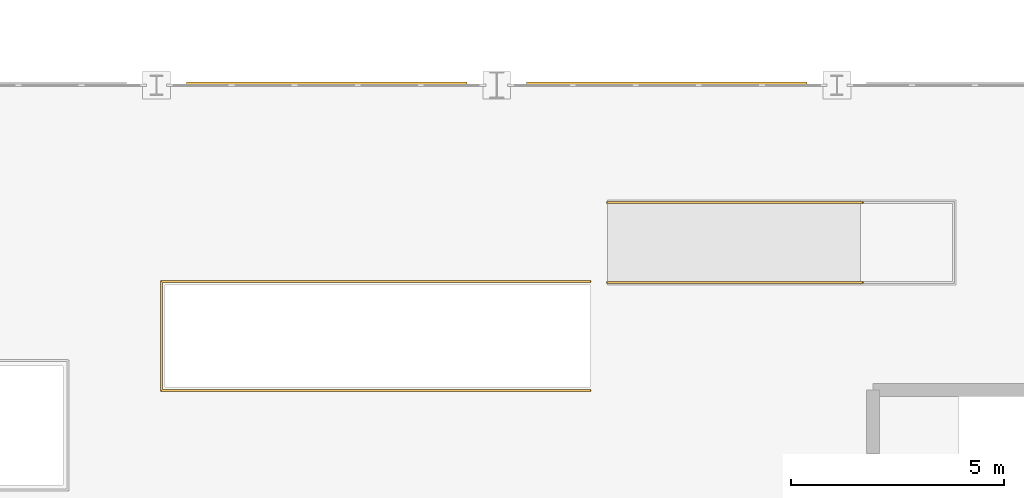
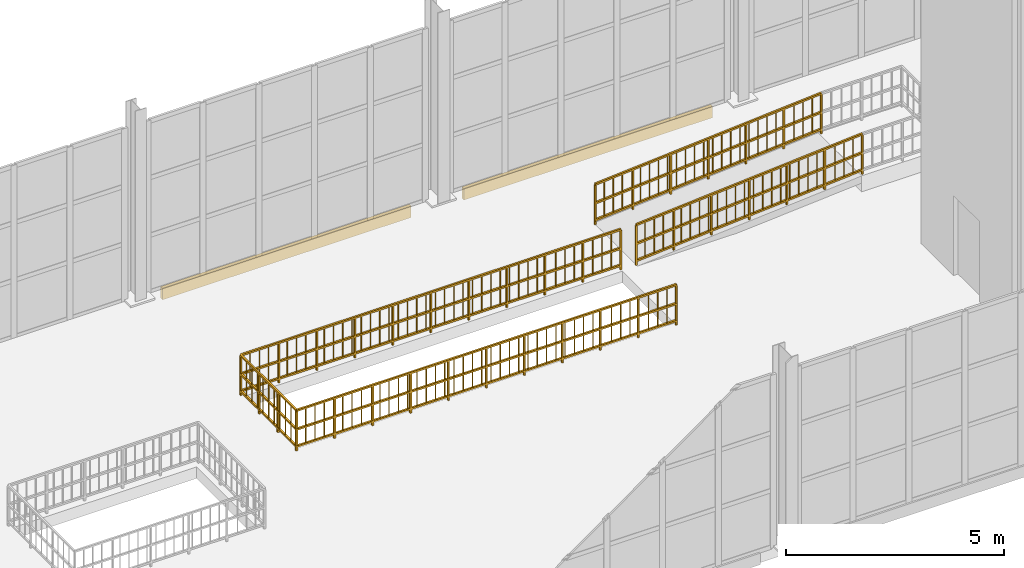
# One storey, part 79 of 82: 3 railings, 2 coverings.
"""IFC4 building model written with IfcOpenShell, lengths in metres."""

from ifc_helpers import new_model, si_unit, direction, frame, origin, origin_2d, place, context, subcontext, project, spatial, rectangle, extrude, material, layer, layer_set, type_object, element, save


model = new_model("IFC4")

# Units and contexts
model_context = context("Model", 3, precision=1e-05, world=origin(), true_north=direction((0.0, 1.0)))
body_context = subcontext(model_context, "Body", "Model", "MODEL_VIEW")
ifc_project = project(units=[si_unit("LENGTHUNIT", "METRE"), si_unit("AREAUNIT", "SQUARE_METRE"), si_unit("VOLUMEUNIT", "CUBIC_METRE"), si_unit("PLANEANGLEUNIT", "RADIAN"), si_unit("MASSUNIT", "GRAM", prefix="KILO")], contexts=[model_context])

# Site, building, storey
site_placement = place(None, origin())
site = spatial("IfcSite", under=ifc_project, at=site_placement, CompositionType="ELEMENT")
building_placement = place(site_placement, origin())
building = spatial("IfcBuilding", under=site, at=building_placement, Name="Serraluz Foothill Cableway Terminal", CompositionType="ELEMENT")
storey_placement = place(building_placement, frame((0.0, 0.0, 9.60009765625)))
storey = spatial("IfcBuildingStorey", under=building, at=storey_placement, Name="L02", CompositionType="ELEMENT", Elevation=9.60009765625)

# Coverings
ifc_material_1 = material(Name="Fired clay masonry brick (f'm 12 MPa)", Category="masonry")
ifc_layer_1 = layer(ifc_material_1, 0.090087890625, Name="Fired clay masonry brick (f'm 12 MPa)", Category="masonry")
ifc_layer_set_1 = layer_set([ifc_layer_1], Name="Fired clay masonry brick (f'm 12 MPa)")
covering_type = type_object("IfcCoveringType", Name="TYP-COV-CLAD-90", PredefinedType="CLADDING", material=ifc_layer_set_1)
for number, where, z_axis, x_axis, name in (
    (1, (52.0, 72.030029296875, -0.3203125), (0.0, 0.0, 1.0), (1.0, 0.0, 0.0), "Terracotta Spandrel Relief Band COV-CLAD-V1N-2"),
    (2, (60.0, 72.030029296875, -0.3203125), (0.0, 0.0, 1.0), (1.0, 0.0, 0.0), "Terracotta Spandrel Relief Band COV-CLAD-V1N-3"),
):
    element("IfcCovering", number, at=place(storey_placement, frame(where, z_axis=z_axis, x_axis=x_axis)), inside=storey, type_object=covering_type, Name=name, PredefinedType="CLADDING", context=body_context, shape_type="SweptSolid", body=[
        extrude(rectangle(XDim=6.60009765625, YDim=0.090087890625, at=origin_2d()), origin(), (0.0, 0.0, 1.0), 0.320068359375),
    ])

# Railings
ifc_material_2 = material(Name="Steel ASTM A572 Grade 50", Category="steel")
ifc_layer_2 = layer(ifc_material_2, 0.054931640625, Name="Steel ASTM A572 Grade 50", Category="steel")
ifc_layer_set_2 = layer_set([ifc_layer_2], Name="Steel ASTM A572 Grade 50")
railing_type = type_object("IfcRailingType", Name="TYP-RL-GRD-1150", PredefinedType="GUARDRAIL", material=ifc_layer_set_2)
railing_1_placement = place(storey_placement, frame((58.199951171875, 64.820068359375, 0.0)))
element("IfcRailing", 3, at=railing_1_placement, inside=storey, type_object=railing_type, Name="GUARDRAIL ST-F02 Upper Well", PredefinedType="GUARDRAIL", context=body_context, shape_type="SweptSolid", body=[
    extrude(rectangle(XDim=0.048095703125, YDim=0.048095703125, at=origin_2d()), frame((0.0, 0.0, 1.1259765625), z_axis=(-1.0, 0.0, 0.0), x_axis=(0.0, -1.0, 0.0)), (0.0, 0.0, 1.0), 10.079833984375),
    extrude(rectangle(XDim=0.048095703125, YDim=0.048095703125, at=origin_2d()), frame((0.0, 0.0, 0.597900390625), z_axis=(-1.0, 0.0, 0.0), x_axis=(0.0, -1.0, 0.0)), (0.0, 0.0, 1.0), 10.079833984375),
    extrude(rectangle(XDim=0.048095703125, YDim=0.048095703125, at=origin_2d()), frame((0.0, 0.0, 0.1201171875), z_axis=(-1.0, 0.0, 0.0), x_axis=(0.0, -1.0, 0.0)), (0.0, 0.0, 1.0), 10.079833984375),
    extrude(rectangle(XDim=0.02001953125, YDim=0.02001953125, at=origin_2d()), frame((-0.245849609375, 0.0, 0.1201171875)), (0.0, 0.0, 1.0), 0.981689453125),
    extrude(rectangle(XDim=0.02001953125, YDim=0.02001953125, at=origin_2d()), frame((-0.49169921875, 0.0, 0.1201171875)), (0.0, 0.0, 1.0), 0.981689453125),
    extrude(rectangle(XDim=0.02001953125, YDim=0.02001953125, at=origin_2d()), frame((-0.737548828125, 0.0, 0.1201171875)), (0.0, 0.0, 1.0), 0.981689453125),
    extrude(rectangle(XDim=0.02001953125, YDim=0.02001953125, at=origin_2d()), frame((-1.229248046875, 0.0, 0.1201171875)), (0.0, 0.0, 1.0), 0.981689453125),
    extrude(rectangle(XDim=0.02001953125, YDim=0.02001953125, at=origin_2d()), frame((-1.47509765625, 0.0, 0.1201171875)), (0.0, 0.0, 1.0), 0.981689453125),
    extrude(rectangle(XDim=0.02001953125, YDim=0.02001953125, at=origin_2d()), frame((-1.720947265625, 0.0, 0.1201171875)), (0.0, 0.0, 1.0), 0.981689453125),
    extrude(rectangle(XDim=0.02001953125, YDim=0.02001953125, at=origin_2d()), frame((-2.212646484375, 0.0, 0.1201171875)), (0.0, 0.0, 1.0), 0.981689453125),
    extrude(rectangle(XDim=0.02001953125, YDim=0.02001953125, at=origin_2d()), frame((-2.45849609375, 0.0, 0.1201171875)), (0.0, 0.0, 1.0), 0.981689453125),
    extrude(rectangle(XDim=0.02001953125, YDim=0.02001953125, at=origin_2d()), frame((-2.704345703125, 0.0, 0.1201171875)), (0.0, 0.0, 1.0), 0.981689453125),
    extrude(rectangle(XDim=0.02001953125, YDim=0.02001953125, at=origin_2d()), frame((-2.9501953125, 0.0, 0.1201171875)), (0.0, 0.0, 1.0), 0.981689453125),
    extrude(rectangle(XDim=0.02001953125, YDim=0.02001953125, at=origin_2d()), frame((-3.196044921875, 0.0, 0.1201171875)), (0.0, 0.0, 1.0), 0.981689453125),
    extrude(rectangle(XDim=0.02001953125, YDim=0.02001953125, at=origin_2d()), frame((-3.44189453125, 0.0, 0.1201171875)), (0.0, 0.0, 1.0), 0.981689453125),
    extrude(rectangle(XDim=0.02001953125, YDim=0.02001953125, at=origin_2d()), frame((-3.687744140625, 0.0, 0.1201171875)), (0.0, 0.0, 1.0), 0.981689453125),
    extrude(rectangle(XDim=0.02001953125, YDim=0.02001953125, at=origin_2d()), frame((-3.93359375, 0.0, 0.1201171875)), (0.0, 0.0, 1.0), 0.981689453125),
    extrude(rectangle(XDim=0.02001953125, YDim=0.02001953125, at=origin_2d()), frame((-4.179443359375, 0.0, 0.1201171875)), (0.0, 0.0, 1.0), 0.981689453125),
    extrude(rectangle(XDim=0.02001953125, YDim=0.02001953125, at=origin_2d()), frame((-4.42529296875, 0.0, 0.1201171875)), (0.0, 0.0, 1.0), 0.981689453125),
    extrude(rectangle(XDim=0.02001953125, YDim=0.02001953125, at=origin_2d()), frame((-4.671142578125, 0.0, 0.1201171875)), (0.0, 0.0, 1.0), 0.981689453125),
    extrude(rectangle(XDim=0.02001953125, YDim=0.02001953125, at=origin_2d()), frame((-4.9169921875, 0.0, 0.1201171875)), (0.0, 0.0, 1.0), 0.981689453125),
    extrude(rectangle(XDim=0.02001953125, YDim=0.02001953125, at=origin_2d()), frame((-5.162841796875, 0.0, 0.1201171875)), (0.0, 0.0, 1.0), 0.981689453125),
    extrude(rectangle(XDim=0.02001953125, YDim=0.02001953125, at=origin_2d()), frame((-5.40869140625, 0.0, 0.1201171875)), (0.0, 0.0, 1.0), 0.981689453125),
    extrude(rectangle(XDim=0.02001953125, YDim=0.02001953125, at=origin_2d()), frame((-5.654541015625, 0.0, 0.1201171875)), (0.0, 0.0, 1.0), 0.981689453125),
    extrude(rectangle(XDim=0.02001953125, YDim=0.02001953125, at=origin_2d()), frame((-5.900390625, 0.0, 0.1201171875)), (0.0, 0.0, 1.0), 0.981689453125),
    extrude(rectangle(XDim=0.02001953125, YDim=0.02001953125, at=origin_2d()), frame((-6.146240234375, 0.0, 0.1201171875)), (0.0, 0.0, 1.0), 0.981689453125),
    extrude(rectangle(XDim=0.02001953125, YDim=0.02001953125, at=origin_2d()), frame((-6.39208984375, 0.0, 0.1201171875)), (0.0, 0.0, 1.0), 0.981689453125),
    extrude(rectangle(XDim=0.02001953125, YDim=0.02001953125, at=origin_2d()), frame((-6.637939453125, 0.0, 0.1201171875)), (0.0, 0.0, 1.0), 0.981689453125),
    extrude(rectangle(XDim=0.02001953125, YDim=0.02001953125, at=origin_2d()), frame((-6.8837890625, 0.0, 0.1201171875)), (0.0, 0.0, 1.0), 0.981689453125),
    extrude(rectangle(XDim=0.02001953125, YDim=0.02001953125, at=origin_2d()), frame((-7.129638671875, 0.0, 0.1201171875)), (0.0, 0.0, 1.0), 0.981689453125),
    extrude(rectangle(XDim=0.02001953125, YDim=0.02001953125, at=origin_2d()), frame((-7.37548828125, 0.0, 0.1201171875)), (0.0, 0.0, 1.0), 0.981689453125),
    extrude(rectangle(XDim=0.02001953125, YDim=0.02001953125, at=origin_2d()), frame((-7.621337890625, 0.0, 0.1201171875)), (0.0, 0.0, 1.0), 0.981689453125),
    extrude(rectangle(XDim=0.02001953125, YDim=0.02001953125, at=origin_2d()), frame((-7.8671875, 0.0, 0.1201171875)), (0.0, 0.0, 1.0), 0.981689453125),
    extrude(rectangle(XDim=0.02001953125, YDim=0.02001953125, at=origin_2d()), frame((-8.35888671875, 0.0, 0.1201171875)), (0.0, 0.0, 1.0), 0.981689453125),
    extrude(rectangle(XDim=0.02001953125, YDim=0.02001953125, at=origin_2d()), frame((-8.604736328125, 0.0, 0.1201171875)), (0.0, 0.0, 1.0), 0.981689453125),
    extrude(rectangle(XDim=0.02001953125, YDim=0.02001953125, at=origin_2d()), frame((-8.8505859375, 0.0, 0.1201171875)), (0.0, 0.0, 1.0), 0.981689453125),
    extrude(rectangle(XDim=0.02001953125, YDim=0.02001953125, at=origin_2d()), frame((-9.34228515625, 0.0, 0.1201171875)), (0.0, 0.0, 1.0), 0.981689453125),
    extrude(rectangle(XDim=0.02001953125, YDim=0.02001953125, at=origin_2d()), frame((-9.588134765625, 0.0, 0.1201171875)), (0.0, 0.0, 1.0), 0.981689453125),
    extrude(rectangle(XDim=0.02001953125, YDim=0.02001953125, at=origin_2d()), frame((-9.833984375, 0.0, 0.1201171875)), (0.0, 0.0, 1.0), 0.981689453125),
    extrude(rectangle(XDim=0.048095703125, YDim=0.048095703125, at=origin_2d()), frame((-10.079833984375, 0.0, 1.1259765625), z_axis=(0.0, 1.0, 0.0), x_axis=(-1.0, 0.0, 0.0)), (0.0, 0.0, 1.0), 2.559814453125),
    extrude(rectangle(XDim=0.048095703125, YDim=0.048095703125, at=origin_2d()), frame((-10.079833984375, 0.0, 0.597900390625), z_axis=(0.0, 1.0, 0.0), x_axis=(-1.0, 0.0, 0.0)), (0.0, 0.0, 1.0), 2.559814453125),
    extrude(rectangle(XDim=0.048095703125, YDim=0.048095703125, at=origin_2d()), frame((-10.079833984375, 0.0, 0.1201171875), z_axis=(0.0, 1.0, 0.0), x_axis=(-1.0, 0.0, 0.0)), (0.0, 0.0, 1.0), 2.559814453125),
    extrude(rectangle(XDim=0.02001953125, YDim=0.02001953125, at=origin_2d()), frame((-10.079833984375, 0.255859375, 0.1201171875)), (0.0, 0.0, 1.0), 0.981689453125),
    extrude(rectangle(XDim=0.02001953125, YDim=0.02001953125, at=origin_2d()), frame((-10.079833984375, 0.511962890625, 0.1201171875)), (0.0, 0.0, 1.0), 0.981689453125),
    extrude(rectangle(XDim=0.02001953125, YDim=0.02001953125, at=origin_2d()), frame((-10.079833984375, 0.76806640625, 0.1201171875)), (0.0, 0.0, 1.0), 0.981689453125),
    extrude(rectangle(XDim=0.02001953125, YDim=0.02001953125, at=origin_2d()), frame((-10.079833984375, 1.02392578125, 0.1201171875)), (0.0, 0.0, 1.0), 0.981689453125),
    extrude(rectangle(XDim=0.02001953125, YDim=0.02001953125, at=origin_2d()), frame((-10.079833984375, 1.27978515625, 0.1201171875)), (0.0, 0.0, 1.0), 0.981689453125),
    extrude(rectangle(XDim=0.02001953125, YDim=0.02001953125, at=origin_2d()), frame((-10.079833984375, 1.535888671875, 0.1201171875)), (0.0, 0.0, 1.0), 0.981689453125),
    extrude(rectangle(XDim=0.02001953125, YDim=0.02001953125, at=origin_2d()), frame((-10.079833984375, 1.791748046875, 0.1201171875)), (0.0, 0.0, 1.0), 0.981689453125),
    extrude(rectangle(XDim=0.02001953125, YDim=0.02001953125, at=origin_2d()), frame((-10.079833984375, 2.0478515625, 0.1201171875)), (0.0, 0.0, 1.0), 0.981689453125),
    extrude(rectangle(XDim=0.02001953125, YDim=0.02001953125, at=origin_2d()), frame((-10.079833984375, 2.3037109375, 0.1201171875)), (0.0, 0.0, 1.0), 0.981689453125),
    extrude(rectangle(XDim=0.048095703125, YDim=0.048095703125, at=origin_2d()), frame((-10.079833984375, 2.559814453125, 1.1259765625), z_axis=(1.0, 0.0, 0.0), x_axis=(0.0, 1.0, 0.0)), (0.0, 0.0, 1.0), 10.079833984375),
    extrude(rectangle(XDim=0.048095703125, YDim=0.048095703125, at=origin_2d()), frame((-10.079833984375, 2.559814453125, 0.597900390625), z_axis=(1.0, 0.0, 0.0), x_axis=(0.0, 1.0, 0.0)), (0.0, 0.0, 1.0), 10.079833984375),
    extrude(rectangle(XDim=0.048095703125, YDim=0.048095703125, at=origin_2d()), frame((-10.079833984375, 2.559814453125, 0.1201171875), z_axis=(1.0, 0.0, 0.0), x_axis=(0.0, 1.0, 0.0)), (0.0, 0.0, 1.0), 10.079833984375),
    extrude(rectangle(XDim=0.02001953125, YDim=0.02001953125, at=origin_2d()), frame((-9.833984375, 2.559814453125, 0.1201171875)), (0.0, 0.0, 1.0), 0.981689453125),
    extrude(rectangle(XDim=0.02001953125, YDim=0.02001953125, at=origin_2d()), frame((-9.588134765625, 2.559814453125, 0.1201171875)), (0.0, 0.0, 1.0), 0.981689453125),
    extrude(rectangle(XDim=0.02001953125, YDim=0.02001953125, at=origin_2d()), frame((-9.34228515625, 2.559814453125, 0.1201171875)), (0.0, 0.0, 1.0), 0.981689453125),
    extrude(rectangle(XDim=0.02001953125, YDim=0.02001953125, at=origin_2d()), frame((-8.8505859375, 2.559814453125, 0.1201171875)), (0.0, 0.0, 1.0), 0.981689453125),
    extrude(rectangle(XDim=0.02001953125, YDim=0.02001953125, at=origin_2d()), frame((-8.604736328125, 2.559814453125, 0.1201171875)), (0.0, 0.0, 1.0), 0.981689453125),
    extrude(rectangle(XDim=0.02001953125, YDim=0.02001953125, at=origin_2d()), frame((-8.35888671875, 2.559814453125, 0.1201171875)), (0.0, 0.0, 1.0), 0.981689453125),
    extrude(rectangle(XDim=0.02001953125, YDim=0.02001953125, at=origin_2d()), frame((-7.8671875, 2.559814453125, 0.1201171875)), (0.0, 0.0, 1.0), 0.981689453125),
    extrude(rectangle(XDim=0.02001953125, YDim=0.02001953125, at=origin_2d()), frame((-7.621337890625, 2.559814453125, 0.1201171875)), (0.0, 0.0, 1.0), 0.981689453125),
    extrude(rectangle(XDim=0.02001953125, YDim=0.02001953125, at=origin_2d()), frame((-7.37548828125, 2.559814453125, 0.1201171875)), (0.0, 0.0, 1.0), 0.981689453125),
    extrude(rectangle(XDim=0.02001953125, YDim=0.02001953125, at=origin_2d()), frame((-7.129638671875, 2.559814453125, 0.1201171875)), (0.0, 0.0, 1.0), 0.981689453125),
    extrude(rectangle(XDim=0.02001953125, YDim=0.02001953125, at=origin_2d()), frame((-6.8837890625, 2.559814453125, 0.1201171875)), (0.0, 0.0, 1.0), 0.981689453125),
    extrude(rectangle(XDim=0.02001953125, YDim=0.02001953125, at=origin_2d()), frame((-6.637939453125, 2.559814453125, 0.1201171875)), (0.0, 0.0, 1.0), 0.981689453125),
    extrude(rectangle(XDim=0.02001953125, YDim=0.02001953125, at=origin_2d()), frame((-6.39208984375, 2.559814453125, 0.1201171875)), (0.0, 0.0, 1.0), 0.981689453125),
    extrude(rectangle(XDim=0.02001953125, YDim=0.02001953125, at=origin_2d()), frame((-6.146240234375, 2.559814453125, 0.1201171875)), (0.0, 0.0, 1.0), 0.981689453125),
    extrude(rectangle(XDim=0.02001953125, YDim=0.02001953125, at=origin_2d()), frame((-5.900390625, 2.559814453125, 0.1201171875)), (0.0, 0.0, 1.0), 0.981689453125),
    extrude(rectangle(XDim=0.02001953125, YDim=0.02001953125, at=origin_2d()), frame((-5.654541015625, 2.559814453125, 0.1201171875)), (0.0, 0.0, 1.0), 0.981689453125),
    extrude(rectangle(XDim=0.02001953125, YDim=0.02001953125, at=origin_2d()), frame((-5.40869140625, 2.559814453125, 0.1201171875)), (0.0, 0.0, 1.0), 0.981689453125),
    extrude(rectangle(XDim=0.02001953125, YDim=0.02001953125, at=origin_2d()), frame((-5.162841796875, 2.559814453125, 0.1201171875)), (0.0, 0.0, 1.0), 0.981689453125),
    extrude(rectangle(XDim=0.02001953125, YDim=0.02001953125, at=origin_2d()), frame((-4.9169921875, 2.559814453125, 0.1201171875)), (0.0, 0.0, 1.0), 0.981689453125),
    extrude(rectangle(XDim=0.02001953125, YDim=0.02001953125, at=origin_2d()), frame((-4.671142578125, 2.559814453125, 0.1201171875)), (0.0, 0.0, 1.0), 0.981689453125),
    extrude(rectangle(XDim=0.02001953125, YDim=0.02001953125, at=origin_2d()), frame((-4.42529296875, 2.559814453125, 0.1201171875)), (0.0, 0.0, 1.0), 0.981689453125),
    extrude(rectangle(XDim=0.02001953125, YDim=0.02001953125, at=origin_2d()), frame((-4.179443359375, 2.559814453125, 0.1201171875)), (0.0, 0.0, 1.0), 0.981689453125),
    extrude(rectangle(XDim=0.02001953125, YDim=0.02001953125, at=origin_2d()), frame((-3.93359375, 2.559814453125, 0.1201171875)), (0.0, 0.0, 1.0), 0.981689453125),
    extrude(rectangle(XDim=0.02001953125, YDim=0.02001953125, at=origin_2d()), frame((-3.687744140625, 2.559814453125, 0.1201171875)), (0.0, 0.0, 1.0), 0.981689453125),
    extrude(rectangle(XDim=0.02001953125, YDim=0.02001953125, at=origin_2d()), frame((-3.44189453125, 2.559814453125, 0.1201171875)), (0.0, 0.0, 1.0), 0.981689453125),
    extrude(rectangle(XDim=0.02001953125, YDim=0.02001953125, at=origin_2d()), frame((-3.196044921875, 2.559814453125, 0.1201171875)), (0.0, 0.0, 1.0), 0.981689453125),
    extrude(rectangle(XDim=0.02001953125, YDim=0.02001953125, at=origin_2d()), frame((-2.9501953125, 2.559814453125, 0.1201171875)), (0.0, 0.0, 1.0), 0.981689453125),
    extrude(rectangle(XDim=0.02001953125, YDim=0.02001953125, at=origin_2d()), frame((-2.704345703125, 2.559814453125, 0.1201171875)), (0.0, 0.0, 1.0), 0.981689453125),
    extrude(rectangle(XDim=0.02001953125, YDim=0.02001953125, at=origin_2d()), frame((-2.45849609375, 2.559814453125, 0.1201171875)), (0.0, 0.0, 1.0), 0.981689453125),
    extrude(rectangle(XDim=0.02001953125, YDim=0.02001953125, at=origin_2d()), frame((-2.212646484375, 2.559814453125, 0.1201171875)), (0.0, 0.0, 1.0), 0.981689453125),
    extrude(rectangle(XDim=0.02001953125, YDim=0.02001953125, at=origin_2d()), frame((-1.720947265625, 2.559814453125, 0.1201171875)), (0.0, 0.0, 1.0), 0.981689453125),
    extrude(rectangle(XDim=0.02001953125, YDim=0.02001953125, at=origin_2d()), frame((-1.47509765625, 2.559814453125, 0.1201171875)), (0.0, 0.0, 1.0), 0.981689453125),
    extrude(rectangle(XDim=0.02001953125, YDim=0.02001953125, at=origin_2d()), frame((-1.229248046875, 2.559814453125, 0.1201171875)), (0.0, 0.0, 1.0), 0.981689453125),
    extrude(rectangle(XDim=0.02001953125, YDim=0.02001953125, at=origin_2d()), frame((-0.737548828125, 2.559814453125, 0.1201171875)), (0.0, 0.0, 1.0), 0.981689453125),
    extrude(rectangle(XDim=0.02001953125, YDim=0.02001953125, at=origin_2d()), frame((-0.49169921875, 2.559814453125, 0.1201171875)), (0.0, 0.0, 1.0), 0.981689453125),
    extrude(rectangle(XDim=0.02001953125, YDim=0.02001953125, at=origin_2d()), frame((-0.245849609375, 2.559814453125, 0.1201171875)), (0.0, 0.0, 1.0), 0.981689453125),
    extrude(rectangle(XDim=0.0439453125, YDim=0.0439453125, at=origin_2d()), origin(), (0.0, 0.0, 1.0), 1.101806640625),
    extrude(rectangle(XDim=0.0439453125, YDim=0.0439453125, at=origin_2d()), frame((-1.008056640625, 0.0, 0.0)), (0.0, 0.0, 1.0), 1.101806640625),
    extrude(rectangle(XDim=0.0439453125, YDim=0.0439453125, at=origin_2d()), frame((-2.015869140625, 0.0, 0.0)), (0.0, 0.0, 1.0), 1.101806640625),
    extrude(rectangle(XDim=0.0439453125, YDim=0.0439453125, at=origin_2d()), frame((-3.02392578125, 0.0, 0.0)), (0.0, 0.0, 1.0), 1.101806640625),
    extrude(rectangle(XDim=0.0439453125, YDim=0.0439453125, at=origin_2d()), frame((-4.031982421875, 0.0, 0.0)), (0.0, 0.0, 1.0), 1.101806640625),
    extrude(rectangle(XDim=0.0439453125, YDim=0.0439453125, at=origin_2d()), frame((-5.0400390625, 0.0, 0.0)), (0.0, 0.0, 1.0), 1.101806640625),
    extrude(rectangle(XDim=0.0439453125, YDim=0.0439453125, at=origin_2d()), frame((-6.0478515625, 0.0, 0.0)), (0.0, 0.0, 1.0), 1.101806640625),
    extrude(rectangle(XDim=0.0439453125, YDim=0.0439453125, at=origin_2d()), frame((-7.055908203125, 0.0, 0.0)), (0.0, 0.0, 1.0), 1.101806640625),
    extrude(rectangle(XDim=0.0439453125, YDim=0.0439453125, at=origin_2d()), frame((-8.06396484375, 0.0, 0.0)), (0.0, 0.0, 1.0), 1.101806640625),
    extrude(rectangle(XDim=0.0439453125, YDim=0.0439453125, at=origin_2d()), frame((-9.07177734375, 0.0, 0.0)), (0.0, 0.0, 1.0), 1.101806640625),
    extrude(rectangle(XDim=0.0439453125, YDim=0.0439453125, at=origin_2d()), frame((-10.079833984375, 0.0, 0.0)), (0.0, 0.0, 1.0), 1.101806640625),
    extrude(rectangle(XDim=0.0439453125, YDim=0.0439453125, at=origin_2d()), frame((-10.079833984375, 0.853271484375, 0.0)), (0.0, 0.0, 1.0), 1.101806640625),
    extrude(rectangle(XDim=0.0439453125, YDim=0.0439453125, at=origin_2d()), frame((-10.079833984375, 1.70654296875, 0.0)), (0.0, 0.0, 1.0), 1.101806640625),
    extrude(rectangle(XDim=0.0439453125, YDim=0.0439453125, at=origin_2d()), frame((-10.079833984375, 2.559814453125, 0.0)), (0.0, 0.0, 1.0), 1.101806640625),
    extrude(rectangle(XDim=0.0439453125, YDim=0.0439453125, at=origin_2d()), frame((-9.07177734375, 2.559814453125, 0.0)), (0.0, 0.0, 1.0), 1.101806640625),
    extrude(rectangle(XDim=0.0439453125, YDim=0.0439453125, at=origin_2d()), frame((-8.06396484375, 2.559814453125, 0.0)), (0.0, 0.0, 1.0), 1.101806640625),
    extrude(rectangle(XDim=0.0439453125, YDim=0.0439453125, at=origin_2d()), frame((-7.055908203125, 2.559814453125, 0.0)), (0.0, 0.0, 1.0), 1.101806640625),
    extrude(rectangle(XDim=0.0439453125, YDim=0.0439453125, at=origin_2d()), frame((-6.0478515625, 2.559814453125, 0.0)), (0.0, 0.0, 1.0), 1.101806640625),
    extrude(rectangle(XDim=0.0439453125, YDim=0.0439453125, at=origin_2d()), frame((-5.0400390625, 2.559814453125, 0.0)), (0.0, 0.0, 1.0), 1.101806640625),
    extrude(rectangle(XDim=0.0439453125, YDim=0.0439453125, at=origin_2d()), frame((-4.031982421875, 2.559814453125, 0.0)), (0.0, 0.0, 1.0), 1.101806640625),
    extrude(rectangle(XDim=0.0439453125, YDim=0.0439453125, at=origin_2d()), frame((-3.02392578125, 2.559814453125, 0.0)), (0.0, 0.0, 1.0), 1.101806640625),
    extrude(rectangle(XDim=0.0439453125, YDim=0.0439453125, at=origin_2d()), frame((-2.015869140625, 2.559814453125, 0.0)), (0.0, 0.0, 1.0), 1.101806640625),
    extrude(rectangle(XDim=0.0439453125, YDim=0.0439453125, at=origin_2d()), frame((-1.008056640625, 2.559814453125, 0.0)), (0.0, 0.0, 1.0), 1.101806640625),
    extrude(rectangle(XDim=0.0439453125, YDim=0.0439453125, at=origin_2d()), frame((0.0, 2.559814453125, 0.0)), (0.0, 0.0, 1.0), 1.101806640625),
])
railing_2_placement = place(storey_placement, frame((58.60009765625, 69.239990234375, 0.0)))
element("IfcRailing", 4, at=railing_2_placement, inside=storey, type_object=railing_type, Name="HANDRAIL RMP-05-L", PredefinedType="GUARDRAIL", context=body_context, shape_type="SweptSolid", body=[
    extrude(rectangle(XDim=0.048095703125, YDim=0.048095703125, at=origin_2d()), frame((0.0, 0.0, 1.1259765625), z_axis=(0.997199915094, 0.0, 0.074781878398), x_axis=(0.0, 1.0, 0.0)), (0.0, 0.0, 1.0), 6.016845703125),
    extrude(rectangle(XDim=0.048095703125, YDim=0.048095703125, at=origin_2d()), frame((0.0, 0.0, 0.597900390625), z_axis=(0.997199915094, 0.0, 0.074781878398), x_axis=(0.0, 1.0, 0.0)), (0.0, 0.0, 1.0), 6.016845703125),
    extrude(rectangle(XDim=0.048095703125, YDim=0.048095703125, at=origin_2d()), frame((0.0, 0.0, 0.1201171875), z_axis=(0.997199915094, 0.0, 0.074781878398), x_axis=(0.0, 1.0, 0.0)), (0.0, 0.0, 1.0), 6.016845703125),
    extrude(rectangle(XDim=0.02001953125, YDim=0.02001953125, at=origin_2d()), frame((0.239990234375, 0.0, 0.137939453125)), (0.0, 0.0, 1.0), 0.981689453125),
    extrude(rectangle(XDim=0.02001953125, YDim=0.02001953125, at=origin_2d()), frame((0.47998046875, 0.0, 0.156005859375)), (0.0, 0.0, 1.0), 0.981689453125),
    extrude(rectangle(XDim=0.02001953125, YDim=0.02001953125, at=origin_2d()), frame((0.719970703125, 0.0, 0.174072265625)), (0.0, 0.0, 1.0), 0.981689453125),
    extrude(rectangle(XDim=0.02001953125, YDim=0.02001953125, at=origin_2d()), frame((1.199951171875, 0.0, 0.2099609375)), (0.0, 0.0, 1.0), 0.981689453125),
    extrude(rectangle(XDim=0.02001953125, YDim=0.02001953125, at=origin_2d()), frame((1.43994140625, 0.0, 0.22802734375)), (0.0, 0.0, 1.0), 0.981689453125),
    extrude(rectangle(XDim=0.02001953125, YDim=0.02001953125, at=origin_2d()), frame((1.679931640625, 0.0, 0.24609375)), (0.0, 0.0, 1.0), 0.981689453125),
    extrude(rectangle(XDim=0.02001953125, YDim=0.02001953125, at=origin_2d()), frame((1.919921875, 0.0, 0.263916015625)), (0.0, 0.0, 1.0), 0.981689453125),
    extrude(rectangle(XDim=0.02001953125, YDim=0.02001953125, at=origin_2d()), frame((2.159912109375, 0.0, 0.281982421875)), (0.0, 0.0, 1.0), 0.981689453125),
    extrude(rectangle(XDim=0.02001953125, YDim=0.02001953125, at=origin_2d()), frame((2.39990234375, 0.0, 0.300048828125)), (0.0, 0.0, 1.0), 0.981689453125),
    extrude(rectangle(XDim=0.02001953125, YDim=0.02001953125, at=origin_2d()), frame((2.639892578125, 0.0, 0.31787109375)), (0.0, 0.0, 1.0), 0.981689453125),
    extrude(rectangle(XDim=0.02001953125, YDim=0.02001953125, at=origin_2d()), frame((2.8798828125, 0.0, 0.3359375)), (0.0, 0.0, 1.0), 0.981689453125),
    extrude(rectangle(XDim=0.02001953125, YDim=0.02001953125, at=origin_2d()), frame((3.1201171875, 0.0, 0.35400390625)), (0.0, 0.0, 1.0), 0.981689453125),
    extrude(rectangle(XDim=0.02001953125, YDim=0.02001953125, at=origin_2d()), frame((3.360107421875, 0.0, 0.3720703125)), (0.0, 0.0, 1.0), 0.981689453125),
    extrude(rectangle(XDim=0.02001953125, YDim=0.02001953125, at=origin_2d()), frame((3.60009765625, 0.0, 0.389892578125)), (0.0, 0.0, 1.0), 0.981689453125),
    extrude(rectangle(XDim=0.02001953125, YDim=0.02001953125, at=origin_2d()), frame((3.840087890625, 0.0, 0.407958984375)), (0.0, 0.0, 1.0), 0.981689453125),
    extrude(rectangle(XDim=0.02001953125, YDim=0.02001953125, at=origin_2d()), frame((4.080078125, 0.0, 0.426025390625)), (0.0, 0.0, 1.0), 0.981689453125),
    extrude(rectangle(XDim=0.02001953125, YDim=0.02001953125, at=origin_2d()), frame((4.320068359375, 0.0, 0.44384765625)), (0.0, 0.0, 1.0), 0.981689453125),
    extrude(rectangle(XDim=0.02001953125, YDim=0.02001953125, at=origin_2d()), frame((4.56005859375, 0.0, 0.4619140625)), (0.0, 0.0, 1.0), 0.981689453125),
    extrude(rectangle(XDim=0.02001953125, YDim=0.02001953125, at=origin_2d()), frame((4.800048828125, 0.0, 0.47998046875)), (0.0, 0.0, 1.0), 0.981689453125),
    extrude(rectangle(XDim=0.02001953125, YDim=0.02001953125, at=origin_2d()), frame((5.280029296875, 0.0, 0.515869140625)), (0.0, 0.0, 1.0), 0.981689453125),
    extrude(rectangle(XDim=0.02001953125, YDim=0.02001953125, at=origin_2d()), frame((5.52001953125, 0.0, 0.533935546875)), (0.0, 0.0, 1.0), 0.981689453125),
    extrude(rectangle(XDim=0.02001953125, YDim=0.02001953125, at=origin_2d()), frame((5.760009765625, 0.0, 0.552001953125)), (0.0, 0.0, 1.0), 0.981689453125),
    extrude(rectangle(XDim=0.0439453125, YDim=0.0439453125, at=origin_2d()), origin(), (0.0, 0.0, 1.0), 1.101806640625),
    extrude(rectangle(XDim=0.0439453125, YDim=0.0439453125, at=origin_2d()), frame((1.0, 0.0, 0.074951171875)), (0.0, 0.0, 1.0), 1.101806640625),
    extrude(rectangle(XDim=0.0439453125, YDim=0.0439453125, at=origin_2d()), frame((2.0, 0.0, 0.14990234375)), (0.0, 0.0, 1.0), 1.101806640625),
    extrude(rectangle(XDim=0.0439453125, YDim=0.0439453125, at=origin_2d()), frame((3.0, 0.0, 0.22509765625)), (0.0, 0.0, 1.0), 1.101806640625),
    extrude(rectangle(XDim=0.0439453125, YDim=0.0439453125, at=origin_2d()), frame((4.0, 0.0, 0.300048828125)), (0.0, 0.0, 1.0), 1.101806640625),
    extrude(rectangle(XDim=0.0439453125, YDim=0.0439453125, at=origin_2d()), frame((5.0, 0.0, 0.375)), (0.0, 0.0, 1.0), 1.101806640625),
    extrude(rectangle(XDim=0.0439453125, YDim=0.0439453125, at=origin_2d()), frame((6.0, 0.0, 0.449951171875)), (0.0, 0.0, 1.0), 1.101806640625),
])
railing_3_placement = place(storey_placement, frame((58.60009765625, 67.360107421875, 0.0)))
element("IfcRailing", 5, at=railing_3_placement, inside=storey, type_object=railing_type, Name="HANDRAIL RMP-05-R", PredefinedType="GUARDRAIL", context=body_context, shape_type="SweptSolid", body=[
    extrude(rectangle(XDim=0.048095703125, YDim=0.048095703125, at=origin_2d()), frame((0.0, 0.0, 1.1259765625), z_axis=(0.997199915094, 0.0, 0.074781878398), x_axis=(0.0, 1.0, 0.0)), (0.0, 0.0, 1.0), 6.016845703125),
    extrude(rectangle(XDim=0.048095703125, YDim=0.048095703125, at=origin_2d()), frame((0.0, 0.0, 0.597900390625), z_axis=(0.997199915094, 0.0, 0.074781878398), x_axis=(0.0, 1.0, 0.0)), (0.0, 0.0, 1.0), 6.016845703125),
    extrude(rectangle(XDim=0.048095703125, YDim=0.048095703125, at=origin_2d()), frame((0.0, 0.0, 0.1201171875), z_axis=(0.997199915094, 0.0, 0.074781878398), x_axis=(0.0, 1.0, 0.0)), (0.0, 0.0, 1.0), 6.016845703125),
    extrude(rectangle(XDim=0.02001953125, YDim=0.02001953125, at=origin_2d()), frame((0.239990234375, 0.0, 0.137939453125)), (0.0, 0.0, 1.0), 0.981689453125),
    extrude(rectangle(XDim=0.02001953125, YDim=0.02001953125, at=origin_2d()), frame((0.47998046875, 0.0, 0.156005859375)), (0.0, 0.0, 1.0), 0.981689453125),
    extrude(rectangle(XDim=0.02001953125, YDim=0.02001953125, at=origin_2d()), frame((0.719970703125, 0.0, 0.174072265625)), (0.0, 0.0, 1.0), 0.981689453125),
    extrude(rectangle(XDim=0.02001953125, YDim=0.02001953125, at=origin_2d()), frame((1.199951171875, 0.0, 0.2099609375)), (0.0, 0.0, 1.0), 0.981689453125),
    extrude(rectangle(XDim=0.02001953125, YDim=0.02001953125, at=origin_2d()), frame((1.43994140625, 0.0, 0.22802734375)), (0.0, 0.0, 1.0), 0.981689453125),
    extrude(rectangle(XDim=0.02001953125, YDim=0.02001953125, at=origin_2d()), frame((1.679931640625, 0.0, 0.24609375)), (0.0, 0.0, 1.0), 0.981689453125),
    extrude(rectangle(XDim=0.02001953125, YDim=0.02001953125, at=origin_2d()), frame((1.919921875, 0.0, 0.263916015625)), (0.0, 0.0, 1.0), 0.981689453125),
    extrude(rectangle(XDim=0.02001953125, YDim=0.02001953125, at=origin_2d()), frame((2.159912109375, 0.0, 0.281982421875)), (0.0, 0.0, 1.0), 0.981689453125),
    extrude(rectangle(XDim=0.02001953125, YDim=0.02001953125, at=origin_2d()), frame((2.39990234375, 0.0, 0.300048828125)), (0.0, 0.0, 1.0), 0.981689453125),
    extrude(rectangle(XDim=0.02001953125, YDim=0.02001953125, at=origin_2d()), frame((2.639892578125, 0.0, 0.31787109375)), (0.0, 0.0, 1.0), 0.981689453125),
    extrude(rectangle(XDim=0.02001953125, YDim=0.02001953125, at=origin_2d()), frame((2.8798828125, 0.0, 0.3359375)), (0.0, 0.0, 1.0), 0.981689453125),
    extrude(rectangle(XDim=0.02001953125, YDim=0.02001953125, at=origin_2d()), frame((3.1201171875, 0.0, 0.35400390625)), (0.0, 0.0, 1.0), 0.981689453125),
    extrude(rectangle(XDim=0.02001953125, YDim=0.02001953125, at=origin_2d()), frame((3.360107421875, 0.0, 0.3720703125)), (0.0, 0.0, 1.0), 0.981689453125),
    extrude(rectangle(XDim=0.02001953125, YDim=0.02001953125, at=origin_2d()), frame((3.60009765625, 0.0, 0.389892578125)), (0.0, 0.0, 1.0), 0.981689453125),
    extrude(rectangle(XDim=0.02001953125, YDim=0.02001953125, at=origin_2d()), frame((3.840087890625, 0.0, 0.407958984375)), (0.0, 0.0, 1.0), 0.981689453125),
    extrude(rectangle(XDim=0.02001953125, YDim=0.02001953125, at=origin_2d()), frame((4.080078125, 0.0, 0.426025390625)), (0.0, 0.0, 1.0), 0.981689453125),
    extrude(rectangle(XDim=0.02001953125, YDim=0.02001953125, at=origin_2d()), frame((4.320068359375, 0.0, 0.44384765625)), (0.0, 0.0, 1.0), 0.981689453125),
    extrude(rectangle(XDim=0.02001953125, YDim=0.02001953125, at=origin_2d()), frame((4.56005859375, 0.0, 0.4619140625)), (0.0, 0.0, 1.0), 0.981689453125),
    extrude(rectangle(XDim=0.02001953125, YDim=0.02001953125, at=origin_2d()), frame((4.800048828125, 0.0, 0.47998046875)), (0.0, 0.0, 1.0), 0.981689453125),
    extrude(rectangle(XDim=0.02001953125, YDim=0.02001953125, at=origin_2d()), frame((5.280029296875, 0.0, 0.515869140625)), (0.0, 0.0, 1.0), 0.981689453125),
    extrude(rectangle(XDim=0.02001953125, YDim=0.02001953125, at=origin_2d()), frame((5.52001953125, 0.0, 0.533935546875)), (0.0, 0.0, 1.0), 0.981689453125),
    extrude(rectangle(XDim=0.02001953125, YDim=0.02001953125, at=origin_2d()), frame((5.760009765625, 0.0, 0.552001953125)), (0.0, 0.0, 1.0), 0.981689453125),
    extrude(rectangle(XDim=0.0439453125, YDim=0.0439453125, at=origin_2d()), origin(), (0.0, 0.0, 1.0), 1.101806640625),
    extrude(rectangle(XDim=0.0439453125, YDim=0.0439453125, at=origin_2d()), frame((1.0, 0.0, 0.074951171875)), (0.0, 0.0, 1.0), 1.101806640625),
    extrude(rectangle(XDim=0.0439453125, YDim=0.0439453125, at=origin_2d()), frame((2.0, 0.0, 0.14990234375)), (0.0, 0.0, 1.0), 1.101806640625),
    extrude(rectangle(XDim=0.0439453125, YDim=0.0439453125, at=origin_2d()), frame((3.0, 0.0, 0.22509765625)), (0.0, 0.0, 1.0), 1.101806640625),
    extrude(rectangle(XDim=0.0439453125, YDim=0.0439453125, at=origin_2d()), frame((4.0, 0.0, 0.300048828125)), (0.0, 0.0, 1.0), 1.101806640625),
    extrude(rectangle(XDim=0.0439453125, YDim=0.0439453125, at=origin_2d()), frame((5.0, 0.0, 0.375)), (0.0, 0.0, 1.0), 1.101806640625),
    extrude(rectangle(XDim=0.0439453125, YDim=0.0439453125, at=origin_2d()), frame((6.0, 0.0, 0.449951171875)), (0.0, 0.0, 1.0), 1.101806640625),
])

save(model, "model.ifc")
